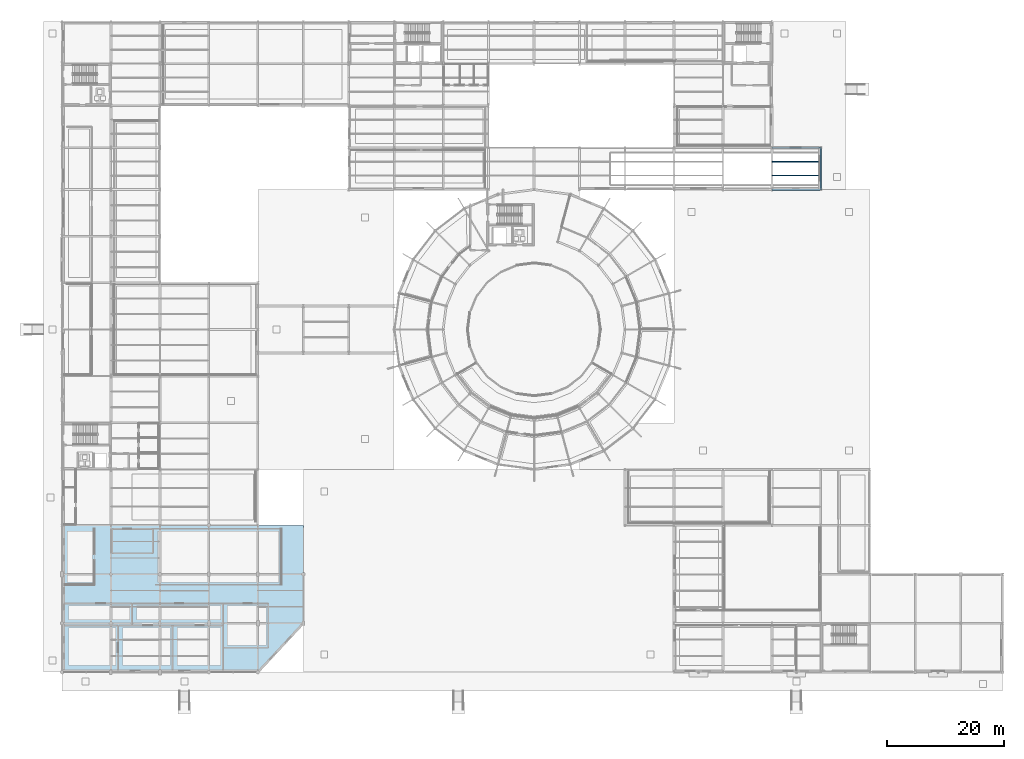
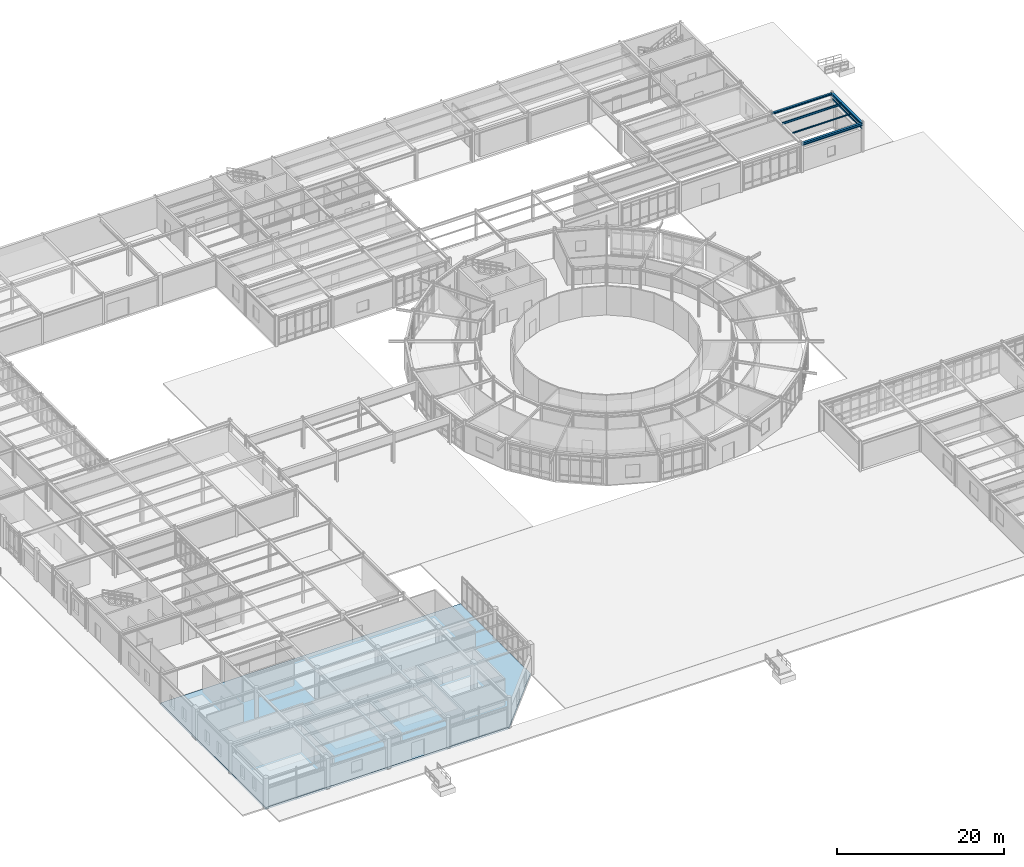
# One storey, part 58 of 101: 6 beams, 1 slab.
"""IFC4 building model written with IfcOpenShell, lengths in metres."""

from ifc_helpers import new_model, si_unit, derived_unit, direction, frame, origin, origin_2d, place, context, subcontext, project, spatial, polyline, hollow_rectangle, i_section, outline, extrude, material, layer, layer_set, material_profile, profile_set, type_object, element, save


model = new_model("IFC4")

# Units and contexts
model_context = context("Model", 3, precision=1e-05, world=origin(), true_north=direction((0.0, 1.0)))
body_context = subcontext(model_context, "Body", "Model", "MODEL_VIEW")
ifc_project = project(units=[si_unit("LENGTHUNIT", "METRE"), si_unit("AREAUNIT", "SQUARE_METRE"), si_unit("VOLUMEUNIT", "CUBIC_METRE"), si_unit("PLANEANGLEUNIT", "RADIAN"), si_unit("MASSUNIT", "GRAM", prefix="KILO"), derived_unit("THERMALTRANSMITTANCEUNIT", [(si_unit("POWERUNIT", "WATT"), 1), (si_unit("AREAUNIT", "SQUARE_METRE"), -1), (si_unit("THERMODYNAMICTEMPERATUREUNIT", "KELVIN"), -1)])], contexts=[model_context])

# Site, building, storey
site_placement = place(None, origin())
site = spatial("IfcSite", under=ifc_project, at=site_placement, CompositionType="ELEMENT")
building_placement = place(site_placement, origin())
building = spatial("IfcBuilding", under=site, at=building_placement, Name="Yasenodar Specialist Clinic", CompositionType="ELEMENT")
storey_placement = place(building_placement, origin())
storey = spatial("IfcBuildingStorey", under=building, at=storey_placement, Name="L00", CompositionType="ELEMENT", Elevation=0.0)

# Beams
ifc_material_1 = material(Name="Steel S355", Category="steel")
ifc_material_profile_1 = material_profile(ifc_material_1, i_section(OverallWidth=0.260009765625, OverallDepth=0.25, WebThickness=0.007568359375, FlangeThickness=0.012451171875, FilletRadius=0.02392578125, at=origin_2d()), Name="HEA 260")
ifc_profile_set_1 = profile_set([ifc_material_profile_1], Name="Steel S355")
beam_type_1 = type_object("IfcBeamType", Name="BM-HEA260", PredefinedType="BEAM", material=ifc_profile_set_1)
beam_1_placement = place(storey_placement, frame((121.800048828125, 90.0, 4.125), z_axis=(1.0, 0.0, 0.0), x_axis=(0.0, 1.0, 0.0)))
element("IfcBeam", 1, at=beam_1_placement, inside=storey, type_object=beam_type_1, Name="L00 Primary E-W Girder", PredefinedType="BEAM", context=body_context, shape_type="SweptSolid", body=[
    extrude(i_section(OverallWidth=0.260009765625, OverallDepth=0.25, WebThickness=0.007568359375, FlangeThickness=0.012451171875, FilletRadius=0.02392578125, at=origin_2d()), origin(), (0.0, 0.0, 1.0), 8.39990234375),
])
ifc_material_profile_2 = material_profile(ifc_material_1, i_section(OverallWidth=0.300048828125, OverallDepth=0.389892578125, WebThickness=0.010986328125, FlangeThickness=0.01904296875, FilletRadius=0.027099609375, at=origin_2d()), Name="HEA 400")
ifc_profile_set_2 = profile_set([ifc_material_profile_2], Name="Steel S355")
beam_type_2 = type_object("IfcBeamType", Name="BM-HEA400", PredefinedType="BEAM", material=ifc_profile_set_2)
beam_2_placement = place(storey_placement, frame((121.800048828125, 82.800048828125, 4.054931640625), z_axis=(1.0, 0.0, 0.0), x_axis=(0.0, 1.0, 0.0)))
element("IfcBeam", 2, at=beam_2_placement, inside=storey, type_object=beam_type_2, Name="L00 Primary E-W Girder", PredefinedType="BEAM", context=body_context, shape_type="SweptSolid", body=[
    extrude(i_section(OverallWidth=0.300048828125, OverallDepth=0.389892578125, WebThickness=0.010986328125, FlangeThickness=0.01904296875, FilletRadius=0.027099609375, at=origin_2d()), origin(), (0.0, 0.0, 1.0), 8.39990234375),
])
ifc_material_profile_3 = material_profile(ifc_material_1, i_section(OverallWidth=0.300048828125, OverallDepth=0.340087890625, WebThickness=0.011962890625, FlangeThickness=0.021484375, FilletRadius=0.027099609375, at=origin_2d()), Name="HEB 340")
ifc_profile_set_3 = profile_set([ifc_material_profile_3], Name="Steel S355")
beam_type_3 = type_object("IfcBeamType", Name="BM-HEB340", PredefinedType="BEAM", material=ifc_profile_set_3)
beam_3_placement = place(storey_placement, frame((130.199951171875, 82.800048828125, 4.080078125), z_axis=(0.0, 1.0, 0.0), x_axis=(-1.0, 0.0, 0.0)))
element("IfcBeam", 3, at=beam_3_placement, inside=storey, type_object=beam_type_3, Name="L00 Primary N-S Girder", PredefinedType="BEAM", context=body_context, shape_type="SweptSolid", body=[
    extrude(i_section(OverallWidth=0.300048828125, OverallDepth=0.340087890625, WebThickness=0.011962890625, FlangeThickness=0.021484375, FilletRadius=0.027099609375, at=origin_2d()), origin(), (0.0, 0.0, 1.0), 7.199951171875),
])
ifc_material_profile_4 = material_profile(ifc_material_1, i_section(OverallWidth=0.10009765625, OverallDepth=0.199951171875, WebThickness=0.005615234375, FlangeThickness=0.008544921875, FilletRadius=0.011962890625, at=origin_2d()), Name="IPE 200")
ifc_profile_set_4 = profile_set([ifc_material_profile_4], Name="Steel S355")
beam_type_4 = type_object("IfcBeamType", Name="JS-IPE200", PredefinedType="JOIST", material=ifc_profile_set_4)
beam_4_placement = place(storey_placement, frame((121.8798828125, 85.199951171875, 4.14990234375), z_axis=(1.0, 0.0, 0.0), x_axis=(0.0, 1.0, 0.0)))
element("IfcBeam", 4, at=beam_4_placement, inside=storey, type_object=beam_type_4, Name="L00 Composite Floor Joist", PredefinedType="JOIST", context=body_context, shape_type="SweptSolid", body=[
    extrude(i_section(OverallWidth=0.10009765625, OverallDepth=0.199951171875, WebThickness=0.005615234375, FlangeThickness=0.008544921875, FilletRadius=0.011962890625, at=origin_2d()), origin(), (0.0, 0.0, 1.0), 8.240234375),
])
ifc_material_profile_5 = material_profile(ifc_material_1, i_section(OverallWidth=0.14990234375, OverallDepth=0.300048828125, WebThickness=0.007080078125, FlangeThickness=0.0107421875, FilletRadius=0.014892578125, at=origin_2d()), Name="IPE 300")
ifc_profile_set_5 = profile_set([ifc_material_profile_5], Name="Steel S355")
beam_type_5 = type_object("IfcBeamType", Name="JS-IPE300", PredefinedType="JOIST", material=ifc_profile_set_5)
beam_5_placement = place(storey_placement, frame((121.8798828125, 87.60009765625, 4.10009765625), z_axis=(1.0, 0.0, 0.0), x_axis=(0.0, 1.0, 0.0)))
element("IfcBeam", 5, at=beam_5_placement, inside=storey, type_object=beam_type_5, Name="L00 Composite Floor Joist", PredefinedType="JOIST", context=body_context, shape_type="SweptSolid", body=[
    extrude(i_section(OverallWidth=0.14990234375, OverallDepth=0.300048828125, WebThickness=0.007080078125, FlangeThickness=0.0107421875, FilletRadius=0.014892578125, at=origin_2d()), origin(), (0.0, 0.0, 1.0), 8.240234375),
])
ifc_material_profile_6 = material_profile(ifc_material_1, hollow_rectangle(XDim=0.10009765625, YDim=0.199951171875, WallThickness=0.008056640625, InnerFilletRadius=0.011962890625, OuterFilletRadius=0.02001953125, at=origin_2d()), Name="RHS 200x100x8")
ifc_profile_set_6 = profile_set([ifc_material_profile_6], Name="Steel S355")
beam_type_6 = type_object("IfcBeamType", Name="LN-RHS200", PredefinedType="LINTEL", material=ifc_profile_set_6)
beam_6_placement = place(storey_placement, frame((130.199951171875, 82.800048828125, 3.35009765625), z_axis=(0.0, 1.0, 0.0), x_axis=(-1.0, 0.0, 0.0)))
element("IfcBeam", 6, at=beam_6_placement, inside=storey, type_object=beam_type_6, Name="L00 Structural Opening Lintel", PredefinedType="LINTEL", context=body_context, shape_type="SweptSolid", body=[
    extrude(hollow_rectangle(XDim=0.10009765625, YDim=0.199951171875, WallThickness=0.008056640625, InnerFilletRadius=0.011962890625, OuterFilletRadius=0.02001953125, at=origin_2d()), origin(), (0.0, 0.0, 1.0), 7.199951171875),
])

# Slab
ifc_material_2 = material(Name="Concrete C30/37", Category="concrete")
ifc_layer = layer(ifc_material_2, 0.280029296875)
ifc_layer_set = layer_set([ifc_layer], Name="Concrete C30/37")
slab_type = type_object("IfcSlabType", Name="SLB-FLR-280", PredefinedType="FLOOR", material=ifc_layer_set)
slab_placement = place(storey_placement, frame((0.0, 0.0, -0.280029296875)))
element("IfcSlab", 7, at=slab_placement, inside=storey, type_object=slab_type, Name="L00 V2 structural slab", PredefinedType="FLOOR", context=body_context, shape_type="SweptSolid", body=[
    extrude(outline(polyline([(0.0, 25.199951171875), (41.39990234375, 25.199951171875), (41.39990234375, 8.39990234375), (33.60009765625, 0.0), (0.0, 0.0), (0.0, 25.199951171875)])), origin(), (0.0, 0.0, 1.0), 0.280029296875),
])

save(model, "model.ifc")
